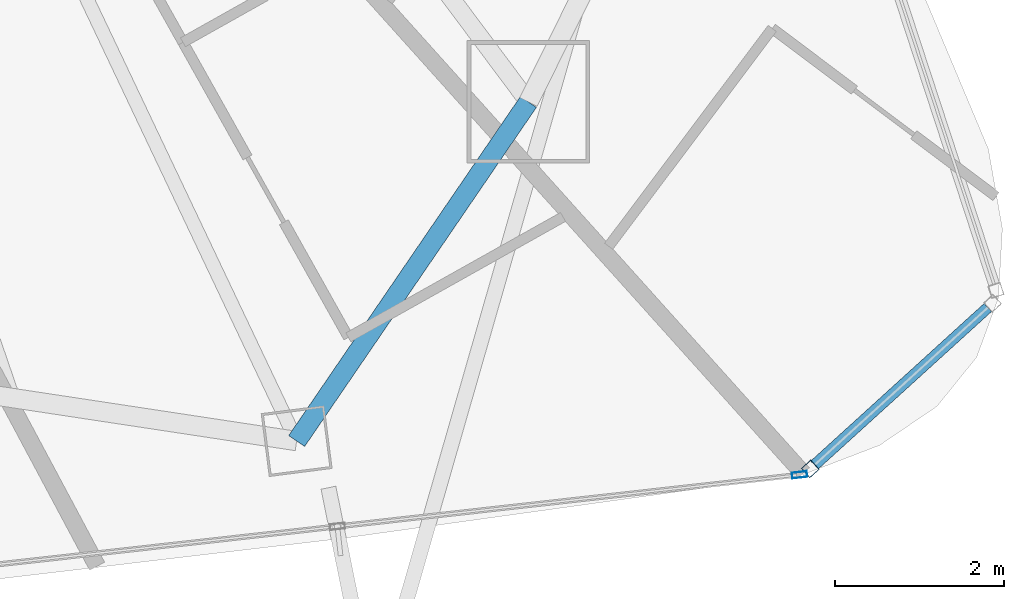
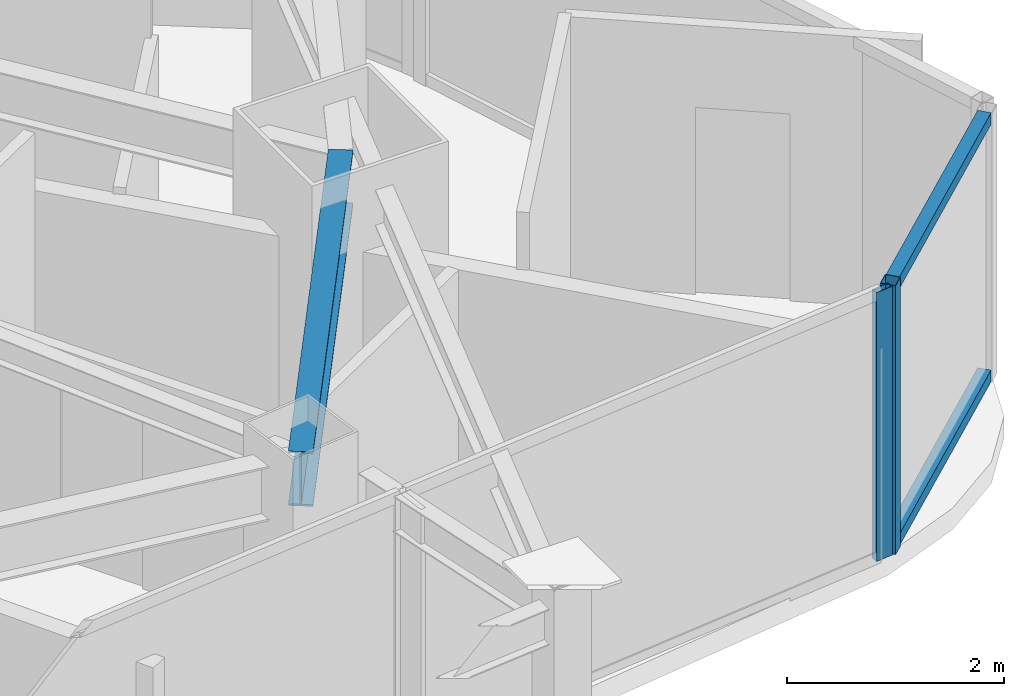
# One storey, part 15 of 31: 4 members, 1 beam, 2 elements without a shape of their own.
"""IFC4 building model written with IfcOpenShell, lengths in metres."""

from ifc_helpers import new_model, si_unit, direction, frame, origin, origin_2d, place, context, subcontext, project, spatial, hollow_rectangle, i_section, extrude, material, layer, layer_set, material_profile, profile_set, type_object, element, aggregate, save


model = new_model("IFC4")

# Units and contexts
model_context = context("Model", 3, precision=1e-05, world=origin(), true_north=direction((0.0, 1.0)))
body_context = subcontext(model_context, "Body", "Model", "MODEL_VIEW")
ifc_project = project(units=[si_unit("LENGTHUNIT", "METRE"), si_unit("AREAUNIT", "SQUARE_METRE"), si_unit("VOLUMEUNIT", "CUBIC_METRE"), si_unit("PLANEANGLEUNIT", "RADIAN"), si_unit("MASSUNIT", "GRAM", prefix="KILO")], contexts=[model_context])

# Site, building, storey
site_placement = place(None, origin())
site = spatial("IfcSite", under=ifc_project, at=site_placement, CompositionType="ELEMENT")
building_placement = place(site_placement, origin())
building = spatial("IfcBuilding", under=site, at=building_placement, Name="Orvanel Arch Residences", CompositionType="ELEMENT")
storey_placement = place(building_placement, frame((0.0, 0.0, 183.64990234375)))
storey = spatial("IfcBuildingStorey", under=building, at=storey_placement, Name="L52", CompositionType="ELEMENT", Elevation=183.64990234375)

# Curtain wall, member
ifc_material_1 = material(Name="Bronze-anodised aluminium AA6063-T6", Category="aluminium")
ifc_layer_1 = layer(ifc_material_1, 0.18994140625)
ifc_layer_set_1 = layer_set([ifc_layer_1], Name="Bronze-anodised aluminium AA6063-T6")
curtain_wall_type_1 = type_object("IfcCurtainWallType", Name="CW5-CRN-SYS", PredefinedType="NOTDEFINED", material=ifc_layer_set_1)
curtain_wall_1_placement = place(storey_placement, origin())
curtain_wall_1 = element("IfcCurtainWall", 1, at=curtain_wall_1_placement, inside=storey, type_object=curtain_wall_type_1, Name="L52 CW5-CRN-SYS Unitised Curtain Wall", PredefinedType="NOTDEFINED")
ifc_material_profile_1 = material_profile(ifc_material_1, hollow_rectangle(XDim=0.14990234375, YDim=0.14990234375, WallThickness=0.0048828125, at=origin_2d()), Name="ALU150x150x5")
ifc_profile_set_1 = profile_set([ifc_material_profile_1], Name="Bronze-anodised aluminium AA6063-T6")
member_type_1 = type_object("IfcMemberType", Name="MUL-150x150", PredefinedType="MULLION", material=ifc_profile_set_1)
member_1_placement = place(storey_placement, frame((55.133544921875, 6.009521484375, 0.0), z_axis=(0.0, 0.0, 1.0), x_axis=(-0.672347823548, 0.740235370791, 0.0)))
member_1 = element("IfcMember", 2, at=member_1_placement, type_object=member_type_1, Name="CW-S5 mullion 1", PredefinedType="MULLION", context=body_context, shape_type="SweptSolid", body=[
    extrude(hollow_rectangle(XDim=0.14990234375, YDim=0.14990234375, WallThickness=0.0048828125, at=origin_2d()), origin(), (0.0, 0.0, 1.0), 3.02001953125),
])

ifc_layer_2 = layer(ifc_material_1, 0.179931640625)
ifc_layer_set_2 = layer_set([ifc_layer_2], Name="Bronze-anodised aluminium AA6063-T6")
curtain_wall_type_2 = type_object("IfcCurtainWallType", Name="CW3-MID-SYS", PredefinedType="NOTDEFINED", material=ifc_layer_set_2)
curtain_wall_2_placement = place(storey_placement, origin())
curtain_wall_2 = element("IfcCurtainWall", 3, at=curtain_wall_2_placement, inside=storey, type_object=curtain_wall_type_2, Name="L52 CW3-MID-SYS Unitised Curtain Wall", PredefinedType="NOTDEFINED")
ifc_material_profile_2 = material_profile(ifc_material_1, hollow_rectangle(XDim=0.070068359375, YDim=0.179931640625, WallThickness=0.00439453125, at=origin_2d()), Name="ALU180x70x4.5")
ifc_profile_set_2 = profile_set([ifc_material_profile_2], Name="Bronze-anodised aluminium AA6063-T6")
member_type_2 = type_object("IfcMemberType", Name="MUL-180x70", PredefinedType="MULLION", material=ifc_profile_set_2)
member_2_placement = place(storey_placement, frame((55.00830078125, 5.940185546875, 0.0), z_axis=(0.0, 0.0, 1.0), x_axis=(-0.111079078463, 0.993811570836, 0.0)))
member_2 = element("IfcMember", 4, at=member_2_placement, type_object=member_type_2, Name="CW-S3 mullion 4", PredefinedType="MULLION", context=body_context, shape_type="SweptSolid", body=[
    extrude(hollow_rectangle(XDim=0.070068359375, YDim=0.179931640625, WallThickness=0.00439453125, at=origin_2d()), origin(), (0.0, 0.0, 1.0), 3.02001953125),
])
aggregate(curtain_wall_2, [member_2])

# Beam
ifc_material_2 = material(Name="Structural steel AS/NZS 3679.1 Grade 300 (300 MPa)", Category="steel")
ifc_material_profile_3 = material_profile(ifc_material_2, i_section(OverallWidth=0.22900390625, OverallDepth=0.612060546875, WebThickness=0.011962890625, FlangeThickness=0.01953125, at=origin_2d()), Name="610UB125")
ifc_profile_set_3 = profile_set([ifc_material_profile_3], Name="Structural steel AS/NZS 3679.1 Grade 300 (300 MPa)")
beam_type = type_object("IfcBeamType", Name="SP-610UB", PredefinedType="SPANDREL", material=ifc_profile_set_3)
beam_placement = place(storey_placement, frame((49.05908203125, 6.339111328125, 2.714111328125), z_axis=(0.564251579852, 0.825602903722, 0.0), x_axis=(-0.825602903722, 0.564251579852, 0.0)))
element("IfcBeam", 5, at=beam_placement, inside=storey, type_object=beam_type, Name="L52 Perimeter Spandrel Beam 08", PredefinedType="SPANDREL", context=body_context, shape_type="SweptSolid", body=[
    extrude(i_section(OverallWidth=0.22900390625, OverallDepth=0.612060546875, WebThickness=0.011962890625, FlangeThickness=0.01953125, at=origin_2d()), origin(), (0.0, 0.0, 1.0), 4.859375),
])

# Member
ifc_material_profile_4 = material_profile(ifc_material_1, hollow_rectangle(XDim=0.1298828125, YDim=0.1298828125, WallThickness=0.00439453125, at=origin_2d()), Name="ALU130x130x4.5")
ifc_profile_set_4 = profile_set([ifc_material_profile_4], Name="Bronze-anodised aluminium AA6063-T6")
member_type_3 = type_object("IfcMemberType", Name="TRN-130x130", PredefinedType="USERDEFINED", material=ifc_profile_set_4)
member_3_placement = place(storey_placement, frame((55.18896484375, 6.059814453125, 0.065185546875), z_axis=(0.740211799964, 0.672373773428, 0.0), x_axis=(-0.672373773428, 0.740211799964, 0.0)))
member_3 = element("IfcMember", 6, at=member_3_placement, type_object=member_type_3, Name="CW-S5 transom 1.1", ObjectType="TRANSOM", PredefinedType="USERDEFINED", context=body_context, shape_type="SweptSolid", body=[
    extrude(hollow_rectangle(XDim=0.1298828125, YDim=0.1298828125, WallThickness=0.00439453125, at=origin_2d()), origin(), (0.0, 0.0, 1.0), 2.763916015625),
])

member_4_placement = place(storey_placement, frame((55.18896484375, 6.059814453125, 2.955078125), z_axis=(0.740211799964, 0.672373773428, 0.0), x_axis=(-0.672373773428, 0.740211799964, 0.0)))
member_4 = element("IfcMember", 7, at=member_4_placement, type_object=member_type_3, Name="CW-S5 transom 1.2", ObjectType="TRANSOM", PredefinedType="USERDEFINED", context=body_context, shape_type="SweptSolid", body=[
    extrude(hollow_rectangle(XDim=0.1298828125, YDim=0.1298828125, WallThickness=0.00439453125, at=origin_2d()), origin(), (0.0, 0.0, 1.0), 2.763916015625),
])

aggregate(curtain_wall_1, [member_1, member_3, member_4])

save(model, "model.ifc")
